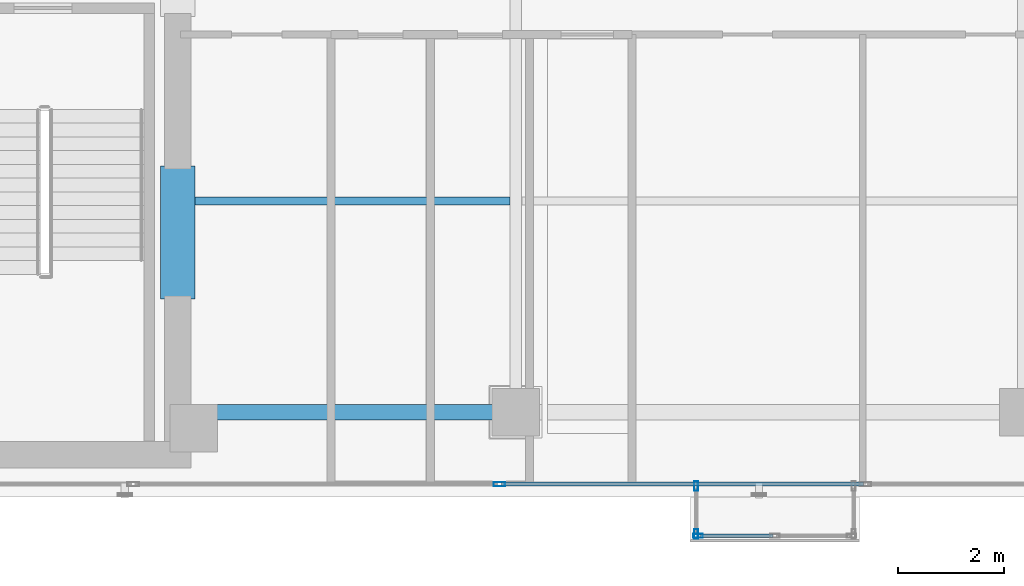
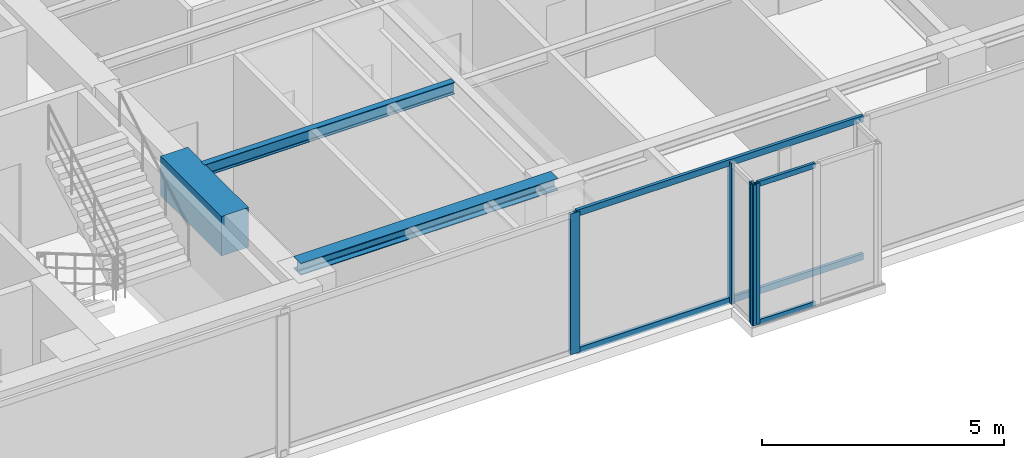
# One storey, part 4 of 22: 8 members, 3 beams, 3 elements without a shape of their own.
"""IFC4 building model written with IfcOpenShell, lengths in metres."""

from ifc_helpers import new_model, si_unit, direction, frame, origin, origin_with_axes, origin_2d, place, context, subcontext, project, spatial, rectangle, hollow_rectangle, i_section, extrude, source, transform, mapped, material, layer, layer_set, material_profile, profile_set, type_object, element, aggregate, save


model = new_model("IFC4")

# Units and contexts
model_context = context("Model", 3, precision=1e-05, world=origin(), true_north=direction((0.0, 1.0)))
body_context = subcontext(model_context, "Body", "Model", "MODEL_VIEW")
ifc_project = project(units=[si_unit("LENGTHUNIT", "METRE"), si_unit("AREAUNIT", "SQUARE_METRE"), si_unit("VOLUMEUNIT", "CUBIC_METRE"), si_unit("PLANEANGLEUNIT", "RADIAN"), si_unit("MASSUNIT", "GRAM", prefix="KILO")], contexts=[model_context])

# Site, building, storey
site_placement = place(None, origin())
site = spatial("IfcSite", under=ifc_project, at=site_placement, CompositionType="ELEMENT")
building_placement = place(site_placement, origin())
building = spatial("IfcBuilding", under=site, at=building_placement, Name="Kolvaren Waterfront Exchange", CompositionType="ELEMENT")
storey_placement = place(building_placement, frame((0.0, 0.0, 327.39990234375)))
storey = spatial("IfcBuildingStorey", under=building, at=storey_placement, Name="L84", CompositionType="ELEMENT", Elevation=327.39990234375)

# Beams
ifc_material_1 = material(Name="Steel S355", Category="steel")
ifc_material_profile_1 = material_profile(ifc_material_1, i_section(OverallWidth=0.300048828125, OverallDepth=0.300048828125, WebThickness=0.010986328125, FlangeThickness=0.01904296875, FilletRadius=0.027099609375, at=origin_2d()), Name="HEB300")
ifc_profile_set_1 = profile_set([ifc_material_profile_1], Name="Steel S355")
beam_type_1 = type_object("IfcBeamType", Name="STR-BM-HEB300", PredefinedType="SPANDREL", material=ifc_profile_set_1)
beam_1_placement = place(storey_placement, frame((21.050048828125, 5.199951171875, 3.41015625), z_axis=(1.0, 0.0, 0.0), x_axis=(0.0, 1.0, 0.0)))
element("IfcBeam", 1, at=beam_1_placement, inside=storey, type_object=beam_type_1, Name="L84 east-arm spandrel S1", PredefinedType="SPANDREL", context=body_context, shape_type="SweptSolid", body=[
    extrude(i_section(OverallWidth=0.300048828125, OverallDepth=0.300048828125, WebThickness=0.010986328125, FlangeThickness=0.01904296875, FilletRadius=0.027099609375, at=origin_2d()), origin(), (0.0, 0.0, 1.0), 6.14990234375),
])
ifc_material_profile_2 = material_profile(ifc_material_1, i_section(OverallWidth=0.14990234375, OverallDepth=0.300048828125, WebThickness=0.007080078125, FlangeThickness=0.0107421875, FilletRadius=0.014892578125, at=origin_2d()), Name="IPE300")
ifc_profile_set_2 = profile_set([ifc_material_profile_2], Name="Steel S355")
beam_type_2 = type_object("IfcBeamType", Name="STR-BM-IPE300", PredefinedType="JOIST", material=ifc_profile_set_2)
beam_2_placement = place(storey_placement, frame((21.10009765625, 9.199951171875, 3.41015625), z_axis=(1.0, 0.0, 0.0), x_axis=(0.0, 1.0, 0.0)))
element("IfcBeam", 2, at=beam_2_placement, inside=storey, type_object=beam_type_2, Name="L84 east-arm composite joist 1B", PredefinedType="JOIST", context=body_context, shape_type="SweptSolid", body=[
    extrude(i_section(OverallWidth=0.14990234375, OverallDepth=0.300048828125, WebThickness=0.007080078125, FlangeThickness=0.0107421875, FilletRadius=0.014892578125, at=origin_2d()), origin(), (0.0, 0.0, 1.0), 5.98779296875),
])
ifc_material_2 = material(Name="Concrete C60/75", Category="concrete")
ifc_material_profile_3 = material_profile(ifc_material_2, rectangle(XDim=0.64990234375, YDim=1.0, at=origin_2d()), Name="RC-CB-1000x650")
ifc_profile_set_3 = profile_set([ifc_material_profile_3], Name="Concrete C60/75")
beam_type_3 = type_object("IfcBeamType", Name="STR-CB-1000", PredefinedType="SPANDREL", material=ifc_profile_set_3)
beam_3_placement = place(storey_placement, frame((20.800048828125, 7.340087890625, 3.06005859375), z_axis=(0.0, 1.0, 0.0), x_axis=(-1.0, 0.0, 0.0)))
element("IfcBeam", 3, at=beam_3_placement, inside=storey, type_object=beam_type_3, Name="L84 core coupling beam 1", PredefinedType="SPANDREL", context=body_context, shape_type="SweptSolid", body=[
    extrude(rectangle(XDim=0.64990234375, YDim=1.0, at=origin_2d()), origin(), (0.0, 0.0, 1.0), 2.52001953125),
])

# Curtain wall, members
ifc_material_3 = material(Name="Anodised bronze aluminium 6063-T6", Category="aluminium")
ifc_layer_1 = layer(ifc_material_3, 0.219970703125, Name="Anodised bronze aluminium 6063-T6")
ifc_layer_set_1 = layer_set([ifc_layer_1], Name="Anodised bronze aluminium 6063-T6")
curtain_wall_type_1 = type_object("IfcCurtainWallType", Name="ARC-CW-SYS3", PredefinedType="USERDEFINED", material=ifc_layer_set_1)
curtain_wall_1_placement = place(storey_placement, origin())
curtain_wall_1 = element("IfcCurtainWall", 4, at=curtain_wall_1_placement, inside=storey, type_object=curtain_wall_type_1, Name="L84 stick curtain wall CW3 (CW-L84-BOX)", ObjectType="STICK CURTAIN WALL", PredefinedType="USERDEFINED")
ifc_material_profile_4 = material_profile(ifc_material_3, hollow_rectangle(XDim=0.06494140625, YDim=0.1298828125, WallThickness=0.00390625, at=origin_2d()), Name="ALU-TRN-130x65x4")
ifc_profile_set_4 = profile_set([ifc_material_profile_4], Name="Anodised bronze aluminium 6063-T6")
member_type_1 = type_object("IfcMemberType", Name="ARC-CWT-130", PredefinedType="USERDEFINED", material=ifc_profile_set_4)
shared_shape_1 = source(origin_with_axes(), body_context, "Body", "SweptSolid", [
    extrude(hollow_rectangle(XDim=0.06494140625, YDim=0.1298828125, WallThickness=0.00390625, at=origin_2d()), origin(), (0.0, 0.0, 1.0), 1.37744140625),
])
member_1_placement = place(storey_placement, frame((30.68505859375, 2.860107421875, 0.03271484375), z_axis=(1.0, 0.0, 0.0), x_axis=(0.0, 1.0, 0.0)))
member_1 = element("IfcMember", 5, at=member_1_placement, type_object=member_type_1, Name="CW3 transom 1.1", ObjectType="TRANSOM", PredefinedType="USERDEFINED", context=body_context, shape_type="MappedRepresentation", body=[
    mapped(shared_shape_1, transform((0.0, 0.0, 0.0), x_axis=(1.0, 0.0, 0.0), y_axis=(0.0, 1.0, 0.0), z_axis=(0.0, 0.0, 1.0), scale=1.0)),
])
member_2_placement = place(storey_placement, frame((30.68505859375, 2.860107421875, 3.527587890625), z_axis=(1.0, 0.0, 0.0), x_axis=(0.0, 1.0, 0.0)))
member_2 = element("IfcMember", 6, at=member_2_placement, type_object=member_type_1, Name="CW3 transom 1.2", ObjectType="TRANSOM", PredefinedType="USERDEFINED", context=body_context, shape_type="MappedRepresentation", body=[
    mapped(shared_shape_1, transform((0.0, 0.0, 0.0), x_axis=(1.0, 0.0, 0.0), y_axis=(0.0, 1.0, 0.0), z_axis=(0.0, 0.0, 1.0), scale=1.0)),
])

curtain_wall_2_placement = place(storey_placement, origin())
curtain_wall_2 = element("IfcCurtainWall", 7, at=curtain_wall_2_placement, inside=storey, type_object=curtain_wall_type_1, Name="L84 stick curtain wall CW3 (CW-L84-BOX-W)", ObjectType="STICK CURTAIN WALL", PredefinedType="USERDEFINED")
ifc_material_profile_5 = material_profile(ifc_material_3, hollow_rectangle(XDim=0.074951171875, YDim=0.179931640625, WallThickness=0.00439453125, at=origin_2d()), Name="ALU-MUL-180x75x4.5")
ifc_profile_set_5 = profile_set([ifc_material_profile_5], Name="Anodised bronze aluminium 6063-T6")
member_type_2 = type_object("IfcMemberType", Name="ARC-CWM-180", PredefinedType="MULLION", material=ifc_profile_set_5)
shared_shape_2 = source(origin_with_axes(), body_context, "Body", "SweptSolid", [
    extrude(hollow_rectangle(XDim=0.074951171875, YDim=0.179931640625, WallThickness=0.00439453125, at=origin_2d()), origin(), (0.0, 0.0, 1.0), 3.56005859375),
])
member_3_placement = place(storey_placement, frame((30.610107421875, 3.802490234375, 0.0), z_axis=(0.0, 0.0, 1.0), x_axis=(1.0, 0.0, 0.0)))
member_3 = element("IfcMember", 8, at=member_3_placement, type_object=member_type_2, Name="CW3 mullion 1", PredefinedType="MULLION", context=body_context, shape_type="MappedRepresentation", body=[
    mapped(shared_shape_2, transform((0.0, 0.0, 0.0), x_axis=(1.0, 0.0, 0.0), y_axis=(0.0, 1.0, 0.0), z_axis=(0.0, 0.0, 1.0), scale=1.0)),
])
member_4_placement = place(storey_placement, frame((30.610107421875, 2.8974609375, 0.0), z_axis=(0.0, 0.0, 1.0), x_axis=(1.0, 0.0, 0.0)))
member_4 = element("IfcMember", 9, at=member_4_placement, type_object=member_type_2, Name="CW3 mullion 2", PredefinedType="MULLION", context=body_context, shape_type="MappedRepresentation", body=[
    mapped(shared_shape_2, transform((0.0, 0.0, 0.0), x_axis=(1.0, 0.0, 0.0), y_axis=(0.0, 1.0, 0.0), z_axis=(0.0, 0.0, 1.0), scale=1.0)),
])
aggregate(curtain_wall_2, [member_3, member_4])

# Member
member_5_placement = place(storey_placement, frame((30.6474609375, 2.860107421875, 0.0), z_axis=(0.0, 0.0, 1.0), x_axis=(0.0, 1.0, 0.0)))
member_5 = element("IfcMember", 10, at=member_5_placement, type_object=member_type_2, Name="CW3 mullion 1", PredefinedType="MULLION", context=body_context, shape_type="MappedRepresentation", body=[
    mapped(shared_shape_2, transform((0.0, 0.0, 0.0), x_axis=(1.0, 0.0, 0.0), y_axis=(0.0, 1.0, 0.0), z_axis=(0.0, 0.0, 1.0), scale=1.0)),
])

aggregate(curtain_wall_1, [member_5, member_1, member_2])

# Curtain wall, members
ifc_layer_2 = layer(ifc_material_3, 0.219970703125, Name="Anodised bronze aluminium 6063-T6")
ifc_layer_set_2 = layer_set([ifc_layer_2], Name="Anodised bronze aluminium 6063-T6")
curtain_wall_type_2 = type_object("IfcCurtainWallType", Name="ARC-CW-SYS1", PredefinedType="USERDEFINED", material=ifc_layer_set_2)
curtain_wall_3_placement = place(storey_placement, origin())
curtain_wall_3 = element("IfcCurtainWall", 11, at=curtain_wall_3_placement, inside=storey, type_object=curtain_wall_type_2, Name="L84 stick curtain wall CW1 (CW-L84-S)", ObjectType="STICK CURTAIN WALL", PredefinedType="USERDEFINED")
ifc_material_4 = material(Name="Anodised aluminium 6063-T6", Category="aluminium")
ifc_material_profile_6 = material_profile(ifc_material_4, hollow_rectangle(XDim=0.080078125, YDim=0.219970703125, WallThickness=0.0048828125, at=origin_2d()), Name="ALU-MUL-220x80x5")
ifc_profile_set_6 = profile_set([ifc_material_profile_6], Name="Anodised aluminium 6063-T6")
member_type_3 = type_object("IfcMemberType", Name="ARC-CWM-220", PredefinedType="MULLION", material=ifc_profile_set_6)
shared_shape_3 = source(origin_with_axes(), body_context, "Body", "SweptSolid", [
    extrude(hollow_rectangle(XDim=0.080078125, YDim=0.219970703125, WallThickness=0.0048828125, at=origin_2d()), origin(), (0.0, 0.0, 1.0), 3.56005859375),
])
member_6_placement = place(storey_placement, frame((26.886962890625, 3.840087890625, 0.0), z_axis=(0.0, 0.0, 1.0), x_axis=(0.0, 1.0, 0.0)))
member_6 = element("IfcMember", 12, at=member_6_placement, type_object=member_type_3, Name="CW1 mullion 4", PredefinedType="MULLION", context=body_context, shape_type="MappedRepresentation", body=[
    mapped(shared_shape_3, transform((0.0, 0.0, 0.0), x_axis=(1.0, 0.0, 0.0), y_axis=(0.0, 1.0, 0.0), z_axis=(0.0, 0.0, 1.0), scale=1.0)),
])
ifc_material_profile_7 = material_profile(ifc_material_4, hollow_rectangle(XDim=0.074951171875, YDim=0.159912109375, WallThickness=0.00439453125, at=origin_2d()), Name="ALU-TRN-160x75x4.5")
ifc_profile_set_7 = profile_set([ifc_material_profile_7], Name="Anodised aluminium 6063-T6")
member_type_4 = type_object("IfcMemberType", Name="ARC-CWT-160", PredefinedType="USERDEFINED", material=ifc_profile_set_7)
shared_shape_4 = source(origin_with_axes(), body_context, "Body", "SweptSolid", [
    extrude(hollow_rectangle(XDim=0.074951171875, YDim=0.159912109375, WallThickness=0.00439453125, at=origin_2d()), origin(), (0.0, 0.0, 1.0), 6.84912109375),
])
member_7_placement = place(storey_placement, frame((26.9267578125, 3.840087890625, 0.03759765625), z_axis=(1.0, 0.0, 0.0), x_axis=(0.0, 1.0, 0.0)))
member_7 = element("IfcMember", 13, at=member_7_placement, type_object=member_type_4, Name="CW1 transom 4.1", ObjectType="TRANSOM", PredefinedType="USERDEFINED", context=body_context, shape_type="MappedRepresentation", body=[
    mapped(shared_shape_4, transform((0.0, 0.0, 0.0), x_axis=(1.0, 0.0, 0.0), y_axis=(0.0, 1.0, 0.0), z_axis=(0.0, 0.0, 1.0), scale=1.0)),
])
member_8_placement = place(storey_placement, frame((26.9267578125, 3.840087890625, 3.522705078125), z_axis=(1.0, 0.0, 0.0), x_axis=(0.0, 1.0, 0.0)))
member_8 = element("IfcMember", 14, at=member_8_placement, type_object=member_type_4, Name="CW1 transom 4.2", ObjectType="TRANSOM", PredefinedType="USERDEFINED", context=body_context, shape_type="MappedRepresentation", body=[
    mapped(shared_shape_4, transform((0.0, 0.0, 0.0), x_axis=(1.0, 0.0, 0.0), y_axis=(0.0, 1.0, 0.0), z_axis=(0.0, 0.0, 1.0), scale=1.0)),
])
aggregate(curtain_wall_3, [member_6, member_7, member_8])

save(model, "model.ifc")
